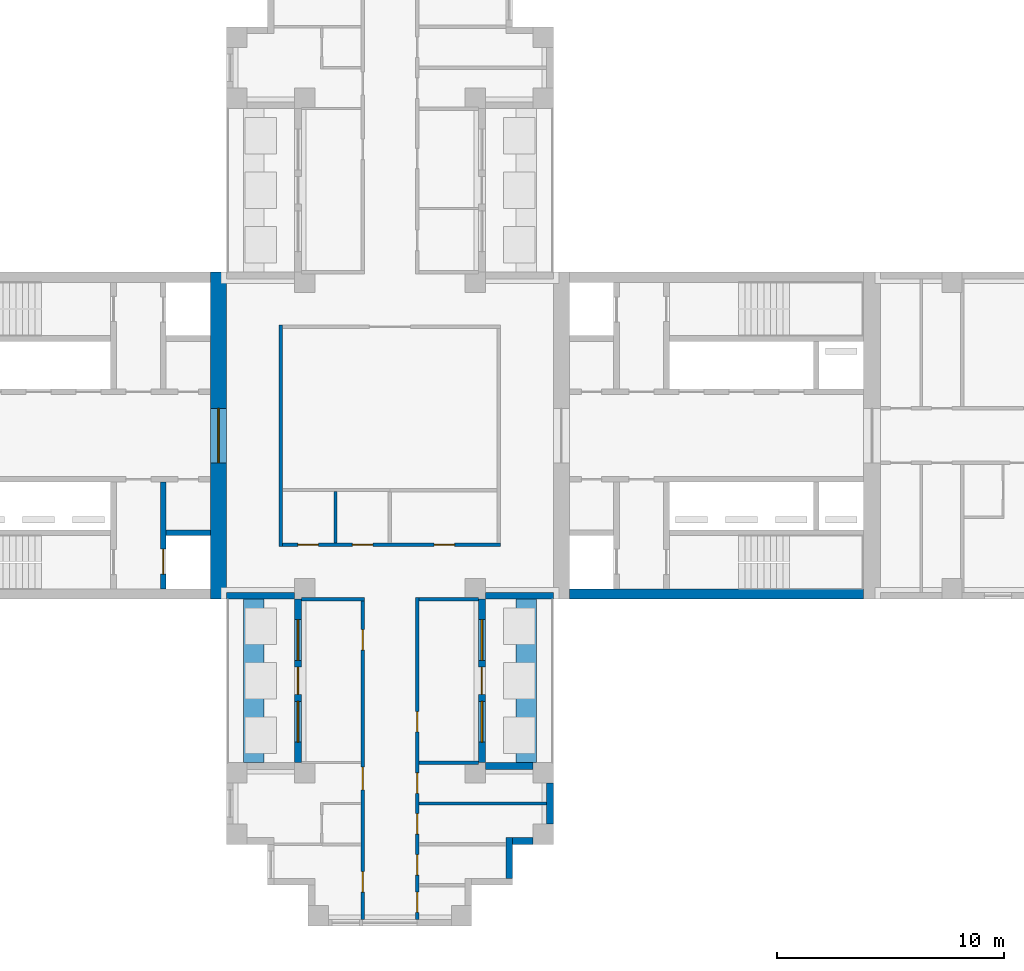
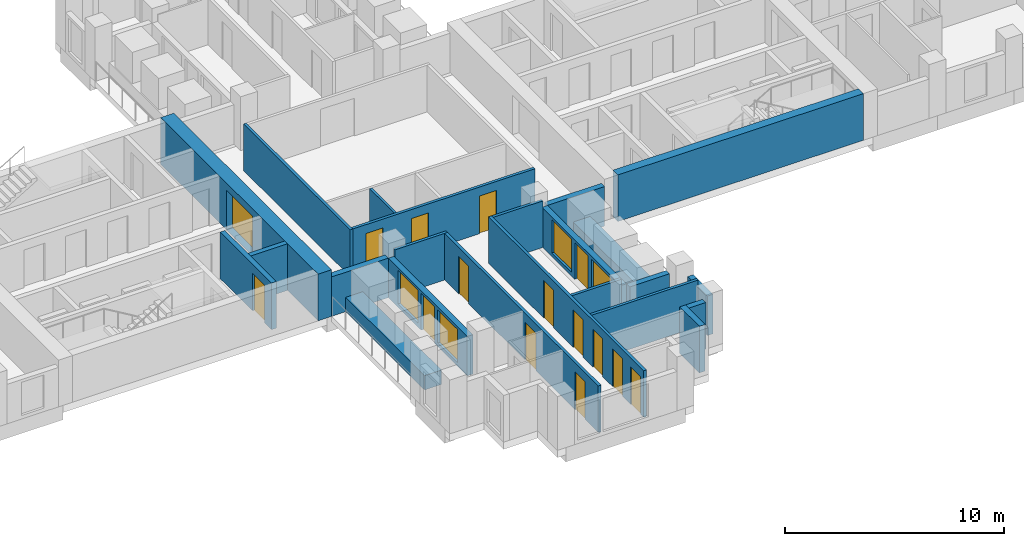
# One storey, part 5 of 11: 23 walls, 15 doors, 4 windows, 19 openings.
"""IFC4 building model written with IfcOpenShell, lengths in metres."""

from ifc_helpers import new_model, si_unit, direction, frame, frame_2d, origin, place, context, subcontext, project, spatial, rectangle, extrude, material, layer, layer_set, type_object, element, fill, save


model = new_model("IFC4")

# Units and contexts
model_context = context("Model", 3, precision=1e-05, world=origin(), true_north=direction((0.0, 1.0)))
body_context = subcontext(model_context, "Body", "Model", "MODEL_VIEW")
ifc_project = project(units=[si_unit("LENGTHUNIT", "METRE"), si_unit("AREAUNIT", "SQUARE_METRE"), si_unit("VOLUMEUNIT", "CUBIC_METRE"), si_unit("PLANEANGLEUNIT", "RADIAN"), si_unit("MASSUNIT", "GRAM", prefix="KILO")], contexts=[model_context])

# Site, building, storey
site_placement = place(None, origin())
site = spatial("IfcSite", under=ifc_project, at=site_placement, CompositionType="ELEMENT")
building_placement = place(site_placement, origin())
building = spatial("IfcBuilding", under=site, at=building_placement, Name="Fustian Cross Tower", CompositionType="ELEMENT")
storey_placement = place(building_placement, frame((0.0, 0.0, 120.300048828125)))
storey = spatial("IfcBuildingStorey", under=building, at=storey_placement, Name="L37", CompositionType="ELEMENT", Elevation=120.300048828125)

# Wall
ifc_material_1 = material(Name="Plasterboard on steel stud", Category="steel")
ifc_layer_1 = layer(ifc_material_1, 0.14990234375)
ifc_layer_set_1 = layer_set([ifc_layer_1], Name="Plasterboard on steel stud")
wall_type_1 = type_object("IfcWallType", Name="COMPARTMENT WALL 150 EI 60", PredefinedType="PARTITIONING", material=ifc_layer_set_1)
wall_1_placement = place(storey_placement, frame((-4.800048828125, -4.875, 0.0), z_axis=(0.0, 0.0, 1.0), x_axis=(0.0, 1.0, 0.0)))
element("IfcWall", 1, at=wall_1_placement, inside=storey, type_object=wall_type_1, Name="Partition 17", PredefinedType="PARTITIONING", context=body_context, shape_type="SweptSolid", body=[
    extrude(rectangle(XDim=9.75, YDim=0.14990234375, at=frame_2d((4.875, 0.0))), origin(), (0.0, 0.0, 1.0), 2.599853515625),
])

# Wall, openings, doors
wall_2_placement = place(storey_placement, frame((-4.72509765625, -4.800048828125, 0.0), z_axis=(0.0, 0.0, 1.0), x_axis=(1.0, 0.0, 0.0)))
wall_2 = element("IfcWall", 2, at=wall_2_placement, inside=storey, type_object=wall_type_1, Name="Partition 18", PredefinedType="PARTITIONING", context=body_context, shape_type="SweptSolid", body=[
    extrude(rectangle(XDim=9.60009765625, YDim=0.14990234375, at=frame_2d((4.800048828125, 0.0))), origin(), (0.0, 0.0, 1.0), 2.599853515625),
])
opening_1_placement = place(wall_2_placement, frame((0.675048828125, 0.0, 0.0)))
opening_1 = element("IfcOpeningElement", 3, at=opening_1_placement, cuts=wall_2, Name="Opening D18001", PredefinedType="OPENING", context=body_context, shape_type="SweptSolid", body=[
    extrude(rectangle(XDim=0.89990234375, YDim=2.10009765625, at=frame_2d((0.449951171875, 1.050048828125))), frame((0.0, 0.0849609375, 0.0), z_axis=(0.0, -1.0, 0.0), x_axis=(1.0, 0.0, 0.0)), (0.0, 0.0, 1.0), 0.169921875),
])
opening_2_placement = place(wall_2_placement, frame((3.074951171875, 0.0, 0.0)))
opening_2 = element("IfcOpeningElement", 4, at=opening_2_placement, cuts=wall_2, Name="Opening D18002", PredefinedType="OPENING", context=body_context, shape_type="SweptSolid", body=[
    extrude(rectangle(XDim=0.89990234375, YDim=2.10009765625, at=frame_2d((0.449951171875, 1.050048828125))), frame((0.0, 0.0849609375, 0.0), z_axis=(0.0, -1.0, 0.0), x_axis=(1.0, 0.0, 0.0)), (0.0, 0.0, 1.0), 0.169921875),
])
opening_3_placement = place(wall_2_placement, frame((6.675048828125, 0.0, 0.0)))
opening_3 = element("IfcOpeningElement", 5, at=opening_3_placement, cuts=wall_2, Name="Opening D18003", PredefinedType="OPENING", context=body_context, shape_type="SweptSolid", body=[
    extrude(rectangle(XDim=0.89990234375, YDim=2.10009765625, at=frame_2d((0.449951171875, 1.050048828125))), frame((0.0, 0.0849609375, 0.0), z_axis=(0.0, -1.0, 0.0), x_axis=(1.0, 0.0, 0.0)), (0.0, 0.0, 1.0), 0.169921875),
])
ifc_material_2 = material(Name="Timber fire door set", Category="wood")
door_type_1 = type_object("IfcDoorType", Name="FIRE SWING DOOR 900 FD30S", OperationType="SINGLE_SWING_LEFT", PredefinedType="DOOR", material=ifc_material_2)
door_1_placement = place(opening_1_placement, origin())
door_1 = element("IfcDoor", 6, at=door_1_placement, inside=storey, type_object=door_type_1, Name="Door D18001", OperationType="SINGLE_SWING_LEFT", OverallHeight=2.10009765625, OverallWidth=0.89990234375, PredefinedType="DOOR", context=body_context, shape_type="SweptSolid", body=[
    extrude(rectangle(XDim=0.89990234375, YDim=2.10009765625, at=frame_2d((0.449951171875, 1.050048828125))), frame((0.0, 0.02490234375, 0.0), z_axis=(0.0, -1.0, 0.0), x_axis=(1.0, 0.0, 0.0)), (0.0, 0.0, 1.0), 0.050048828125),
])
fill(opening_1, door_1)
door_2_placement = place(opening_2_placement, origin())
door_2 = element("IfcDoor", 7, at=door_2_placement, inside=storey, type_object=door_type_1, Name="Door D18002", OperationType="SINGLE_SWING_LEFT", OverallHeight=2.10009765625, OverallWidth=0.89990234375, PredefinedType="DOOR", context=body_context, shape_type="SweptSolid", body=[
    extrude(rectangle(XDim=0.89990234375, YDim=2.10009765625, at=frame_2d((0.449951171875, 1.050048828125))), frame((0.0, 0.02490234375, 0.0), z_axis=(0.0, -1.0, 0.0), x_axis=(1.0, 0.0, 0.0)), (0.0, 0.0, 1.0), 0.050048828125),
])
fill(opening_2, door_2)
door_3_placement = place(opening_3_placement, origin())
door_3 = element("IfcDoor", 8, at=door_3_placement, inside=storey, type_object=door_type_1, Name="Door D18003", OperationType="SINGLE_SWING_LEFT", OverallHeight=2.10009765625, OverallWidth=0.89990234375, PredefinedType="DOOR", context=body_context, shape_type="SweptSolid", body=[
    extrude(rectangle(XDim=0.89990234375, YDim=2.10009765625, at=frame_2d((0.449951171875, 1.050048828125))), frame((0.0, 0.02490234375, 0.0), z_axis=(0.0, -1.0, 0.0), x_axis=(1.0, 0.0, 0.0)), (0.0, 0.0, 1.0), 0.050048828125),
])
fill(opening_3, door_3)

# Wall
wall_3_placement = place(storey_placement, frame((-3.89990234375, -7.199951171875, 0.0), z_axis=(0.0, 0.0, 1.0), x_axis=(1.0, 0.0, 0.0)))
element("IfcWall", 9, at=wall_3_placement, inside=storey, type_object=wall_type_1, Name="Partition 22", PredefinedType="PARTITIONING", context=body_context, shape_type="SweptSolid", body=[
    extrude(rectangle(XDim=2.77490234375, YDim=0.14990234375, at=frame_2d((1.387451171875, 0.0))), origin(), (0.0, 0.0, 1.0), 2.599853515625),
])

# Wall, openings, doors
wall_4_placement = place(storey_placement, frame((-1.199951171875, -21.300048828125, 0.0), z_axis=(0.0, 0.0, 1.0), x_axis=(0.0, 1.0, 0.0)))
wall_4 = element("IfcWall", 10, at=wall_4_placement, inside=storey, type_object=wall_type_1, Name="Partition 32", PredefinedType="PARTITIONING", context=body_context, shape_type="SweptSolid", body=[
    extrude(rectangle(XDim=14.025146484375, YDim=0.14990234375, at=frame_2d((7.0126953125, 0.0))), origin(), (0.0, 0.0, 1.0), 2.599853515625),
])
opening_4_placement = place(wall_4_placement, frame((11.85009765625, 0.0, 0.0)))
opening_4 = element("IfcOpeningElement", 11, at=opening_4_placement, cuts=wall_4, Name="Opening D18038", PredefinedType="OPENING", context=body_context, shape_type="SweptSolid", body=[
    extrude(rectangle(XDim=0.89990234375, YDim=2.10009765625, at=frame_2d((0.449951171875, 1.050048828125))), frame((0.0, 0.0849609375, 0.0), z_axis=(0.0, -1.0, 0.0), x_axis=(1.0, 0.0, 0.0)), (0.0, 0.0, 1.0), 0.169921875),
])
opening_5_placement = place(wall_4_placement, frame((5.699951171875, 0.0, 0.0)))
opening_5 = element("IfcOpeningElement", 12, at=opening_5_placement, cuts=wall_4, Name="Opening D18040", PredefinedType="OPENING", context=body_context, shape_type="SweptSolid", body=[
    extrude(rectangle(XDim=1.0, YDim=2.10009765625, at=frame_2d((0.5, 1.050048828125))), frame((0.0, 0.0849609375, 0.0), z_axis=(0.0, -1.0, 0.0), x_axis=(1.0, 0.0, 0.0)), (0.0, 0.0, 1.0), 0.169921875),
])
opening_6_placement = place(wall_4_placement, frame((1.199951171875, 0.0, 0.0)))
opening_6 = element("IfcOpeningElement", 13, at=opening_6_placement, cuts=wall_4, Name="Opening D18041", PredefinedType="OPENING", context=body_context, shape_type="SweptSolid", body=[
    extrude(rectangle(XDim=0.89990234375, YDim=2.10009765625, at=frame_2d((0.449951171875, 1.050048828125))), frame((0.0, 0.0849609375, 0.0), z_axis=(0.0, -1.0, 0.0), x_axis=(1.0, 0.0, 0.0)), (0.0, 0.0, 1.0), 0.169921875),
])
ifc_material_3 = material(Name="Timber fire door set", Category="wood")
door_type_2 = type_object("IfcDoorType", Name="FIRE SWING DOOR 1000 FD30S", OperationType="SINGLE_SWING_LEFT", PredefinedType="DOOR", material=ifc_material_3)
door_4_placement = place(opening_5_placement, origin())
door_4 = element("IfcDoor", 14, at=door_4_placement, inside=storey, type_object=door_type_2, Name="Door D18040", OperationType="SINGLE_SWING_RIGHT", OverallHeight=2.10009765625, OverallWidth=1.0, PredefinedType="DOOR", context=body_context, shape_type="SweptSolid", body=[
    extrude(rectangle(XDim=1.0, YDim=2.10009765625, at=frame_2d((0.5, 1.050048828125))), frame((0.0, 0.02490234375, 0.0), z_axis=(0.0, -1.0, 0.0), x_axis=(1.0, 0.0, 0.0)), (0.0, 0.0, 1.0), 0.050048828125),
])
fill(opening_5, door_4)
door_5_placement = place(opening_4_placement, origin())
door_5 = element("IfcDoor", 15, at=door_5_placement, inside=storey, type_object=door_type_1, Name="Door D18038", OperationType="SINGLE_SWING_RIGHT", OverallHeight=2.10009765625, OverallWidth=0.89990234375, PredefinedType="DOOR", context=body_context, shape_type="SweptSolid", body=[
    extrude(rectangle(XDim=0.89990234375, YDim=2.10009765625, at=frame_2d((0.449951171875, 1.050048828125))), frame((0.0, 0.02490234375, 0.0), z_axis=(0.0, -1.0, 0.0), x_axis=(1.0, 0.0, 0.0)), (0.0, 0.0, 1.0), 0.050048828125),
])
fill(opening_4, door_5)
door_6_placement = place(opening_6_placement, origin())
door_6 = element("IfcDoor", 16, at=door_6_placement, inside=storey, type_object=door_type_1, Name="Door D18041", OperationType="SINGLE_SWING_LEFT", OverallHeight=2.10009765625, OverallWidth=0.89990234375, PredefinedType="DOOR", context=body_context, shape_type="SweptSolid", body=[
    extrude(rectangle(XDim=0.89990234375, YDim=2.10009765625, at=frame_2d((0.449951171875, 1.050048828125))), frame((0.0, 0.02490234375, 0.0), z_axis=(0.0, -1.0, 0.0), x_axis=(1.0, 0.0, 0.0)), (0.0, 0.0, 1.0), 0.050048828125),
])
fill(opening_6, door_6)

wall_5_placement = place(storey_placement, frame((1.199951171875, -21.300048828125, 0.0), z_axis=(0.0, 0.0, 1.0), x_axis=(0.0, 1.0, 0.0)))
wall_5 = element("IfcWall", 17, at=wall_5_placement, inside=storey, type_object=wall_type_1, Name="Partition 36", PredefinedType="PARTITIONING", context=body_context, shape_type="SweptSolid", body=[
    extrude(rectangle(XDim=14.175048828125, YDim=0.14990234375, at=frame_2d((7.08740234375, 0.0))), origin(), (0.0, 0.0, 1.0), 2.599853515625),
])
opening_7_placement = place(wall_5_placement, frame((8.25, 0.0, 0.0)))
opening_7 = element("IfcOpeningElement", 18, at=opening_7_placement, cuts=wall_5, Name="Opening D18033", PredefinedType="OPENING", context=body_context, shape_type="SweptSolid", body=[
    extrude(rectangle(XDim=0.89990234375, YDim=2.10009765625, at=frame_2d((0.449951171875, 1.050048828125))), frame((0.0, 0.0849609375, 0.0), z_axis=(0.0, -1.0, 0.0), x_axis=(1.0, 0.0, 0.0)), (0.0, 0.0, 1.0), 0.169921875),
])
opening_8_placement = place(wall_5_placement, frame((5.550048828125, 0.0, 0.0)))
opening_8 = element("IfcOpeningElement", 19, at=opening_8_placement, cuts=wall_5, Name="Opening D18034", PredefinedType="OPENING", context=body_context, shape_type="SweptSolid", body=[
    extrude(rectangle(XDim=0.89990234375, YDim=2.10009765625, at=frame_2d((0.449951171875, 1.050048828125))), frame((0.0, 0.0849609375, 0.0), z_axis=(0.0, -1.0, 0.0), x_axis=(1.0, 0.0, 0.0)), (0.0, 0.0, 1.0), 0.169921875),
])
opening_9_placement = place(wall_5_placement, frame((3.75, 0.0, 0.0)))
opening_9 = element("IfcOpeningElement", 20, at=opening_9_placement, cuts=wall_5, Name="Opening D18035", PredefinedType="OPENING", context=body_context, shape_type="SweptSolid", body=[
    extrude(rectangle(XDim=0.89990234375, YDim=2.10009765625, at=frame_2d((0.449951171875, 1.050048828125))), frame((0.0, 0.0849609375, 0.0), z_axis=(0.0, -1.0, 0.0), x_axis=(1.0, 0.0, 0.0)), (0.0, 0.0, 1.0), 0.169921875),
])
opening_10_placement = place(wall_5_placement, frame((1.949951171875, 0.0, 0.0)))
opening_10 = element("IfcOpeningElement", 21, at=opening_10_placement, cuts=wall_5, Name="Opening D18036", PredefinedType="OPENING", context=body_context, shape_type="SweptSolid", body=[
    extrude(rectangle(XDim=0.89990234375, YDim=2.10009765625, at=frame_2d((0.449951171875, 1.050048828125))), frame((0.0, 0.0849609375, 0.0), z_axis=(0.0, -1.0, 0.0), x_axis=(1.0, 0.0, 0.0)), (0.0, 0.0, 1.0), 0.169921875),
])
opening_11_placement = place(wall_5_placement, frame((0.300048828125, 0.0, 0.0)))
opening_11 = element("IfcOpeningElement", 22, at=opening_11_placement, cuts=wall_5, Name="Opening D18037", PredefinedType="OPENING", context=body_context, shape_type="SweptSolid", body=[
    extrude(rectangle(XDim=0.89990234375, YDim=2.10009765625, at=frame_2d((0.449951171875, 1.050048828125))), frame((0.0, 0.0849609375, 0.0), z_axis=(0.0, -1.0, 0.0), x_axis=(1.0, 0.0, 0.0)), (0.0, 0.0, 1.0), 0.169921875),
])
door_7_placement = place(opening_7_placement, frame((0.89990234375, 0.0, 0.0), z_axis=(0.0, 0.0, 1.0), x_axis=(-1.0, 0.0, 0.0)))
door_7 = element("IfcDoor", 23, at=door_7_placement, inside=storey, type_object=door_type_1, Name="Door D18033", OperationType="SINGLE_SWING_RIGHT", OverallHeight=2.10009765625, OverallWidth=0.89990234375, PredefinedType="DOOR", context=body_context, shape_type="SweptSolid", body=[
    extrude(rectangle(XDim=0.89990234375, YDim=2.10009765625, at=frame_2d((0.449951171875, 1.050048828125))), frame((0.0, 0.02490234375, 0.0), z_axis=(0.0, -1.0, 0.0), x_axis=(1.0, 0.0, 0.0)), (0.0, 0.0, 1.0), 0.050048828125),
])
fill(opening_7, door_7)
door_8_placement = place(opening_8_placement, origin())
door_8 = element("IfcDoor", 24, at=door_8_placement, inside=storey, type_object=door_type_1, Name="Door D18034", OperationType="SINGLE_SWING_LEFT", OverallHeight=2.10009765625, OverallWidth=0.89990234375, PredefinedType="DOOR", context=body_context, shape_type="SweptSolid", body=[
    extrude(rectangle(XDim=0.89990234375, YDim=2.10009765625, at=frame_2d((0.449951171875, 1.050048828125))), frame((0.0, 0.02490234375, 0.0), z_axis=(0.0, -1.0, 0.0), x_axis=(1.0, 0.0, 0.0)), (0.0, 0.0, 1.0), 0.050048828125),
])
fill(opening_8, door_8)
door_9_placement = place(opening_9_placement, frame((0.89990234375, 0.0, 0.0), z_axis=(0.0, 0.0, 1.0), x_axis=(-1.0, 0.0, 0.0)))
door_9 = element("IfcDoor", 25, at=door_9_placement, inside=storey, type_object=door_type_1, Name="Door D18035", OperationType="SINGLE_SWING_LEFT", OverallHeight=2.10009765625, OverallWidth=0.89990234375, PredefinedType="DOOR", context=body_context, shape_type="SweptSolid", body=[
    extrude(rectangle(XDim=0.89990234375, YDim=2.10009765625, at=frame_2d((0.449951171875, 1.050048828125))), frame((0.0, 0.02490234375, 0.0), z_axis=(0.0, -1.0, 0.0), x_axis=(1.0, 0.0, 0.0)), (0.0, 0.0, 1.0), 0.050048828125),
])
fill(opening_9, door_9)
door_10_placement = place(opening_10_placement, frame((0.89990234375, 0.0, 0.0), z_axis=(0.0, 0.0, 1.0), x_axis=(-1.0, 0.0, 0.0)))
door_10 = element("IfcDoor", 26, at=door_10_placement, inside=storey, type_object=door_type_1, Name="Door D18036", OperationType="SINGLE_SWING_LEFT", OverallHeight=2.10009765625, OverallWidth=0.89990234375, PredefinedType="DOOR", context=body_context, shape_type="SweptSolid", body=[
    extrude(rectangle(XDim=0.89990234375, YDim=2.10009765625, at=frame_2d((0.449951171875, 1.050048828125))), frame((0.0, 0.02490234375, 0.0), z_axis=(0.0, -1.0, 0.0), x_axis=(1.0, 0.0, 0.0)), (0.0, 0.0, 1.0), 0.050048828125),
])
fill(opening_10, door_10)
door_11_placement = place(opening_11_placement, frame((0.89990234375, 0.0, 0.0), z_axis=(0.0, 0.0, 1.0), x_axis=(-1.0, 0.0, 0.0)))
door_11 = element("IfcDoor", 27, at=door_11_placement, inside=storey, type_object=door_type_1, Name="Door D18037", OperationType="SINGLE_SWING_RIGHT", OverallHeight=2.10009765625, OverallWidth=0.89990234375, PredefinedType="DOOR", context=body_context, shape_type="SweptSolid", body=[
    extrude(rectangle(XDim=0.89990234375, YDim=2.10009765625, at=frame_2d((0.449951171875, 1.050048828125))), frame((0.0, 0.02490234375, 0.0), z_axis=(0.0, -1.0, 0.0), x_axis=(1.0, 0.0, 0.0)), (0.0, 0.0, 1.0), 0.050048828125),
])
fill(opening_11, door_11)

# Walls
wall_6_placement = place(storey_placement, frame((1.27490234375, -16.199951171875, 0.0), z_axis=(0.0, 0.0, 1.0), x_axis=(1.0, 0.0, 0.0)))
element("IfcWall", 28, at=wall_6_placement, inside=storey, type_object=wall_type_1, Name="Partition 39", PredefinedType="PARTITIONING", context=body_context, shape_type="SweptSolid", body=[
    extrude(rectangle(XDim=5.625, YDim=0.14990234375, at=frame_2d((2.8125, 0.0))), origin(), (0.0, 0.0, 1.0), 2.599853515625),
])
for number, where, z_axis, x_axis, name in (
    (29, (1.27490234375, -14.39990234375, 0.0), (0.0, 0.0, 1.0), (1.0, 0.0, 0.0), "Partition 40"),
    (30, (1.27490234375, -7.199951171875, 0.0), (0.0, 0.0, 1.0), (1.0, 0.0, 0.0), "Partition 41"),
):
    element("IfcWall", number, at=place(storey_placement, frame(where, z_axis=z_axis, x_axis=x_axis)), inside=storey, type_object=wall_type_1, Name=name, PredefinedType="PARTITIONING", context=body_context, shape_type="SweptSolid", body=[
        extrude(rectangle(XDim=2.625, YDim=0.14990234375, at=frame_2d((1.3125, 0.0))), origin(), (0.0, 0.0, 1.0), 2.599853515625),
    ])

# Wall, opening, door
ifc_material_4 = material(Name="Concrete C60/75", Category="concrete")
ifc_layer_2 = layer(ifc_material_4, 0.699951171875)
ifc_layer_set_2 = layer_set([ifc_layer_2], Name="Concrete C60/75")
wall_type_2 = type_object("IfcWallType", Name="CORE END WALL 700 C60/75", PredefinedType="SHEAR", material=ifc_layer_set_2)
wall_7_placement = place(storey_placement, frame((-7.550048828125, -7.199951171875, 0.0), z_axis=(0.0, 0.0, 1.0), x_axis=(0.0, 1.0, 0.0)))
wall_7 = element("IfcWall", 31, at=wall_7_placement, inside=storey, type_object=wall_type_2, Name="Core end wall", PredefinedType="SHEAR", context=body_context, shape_type="SweptSolid", body=[
    extrude(rectangle(XDim=14.39990234375, YDim=0.699951171875, at=frame_2d((7.199951171875, 0.0))), origin(), (0.0, 0.0, 1.0), 2.599853515625),
])
opening_12_placement = place(wall_7_placement, frame((6.0, 0.0, 0.0)))
opening_12 = element("IfcOpeningElement", 32, at=opening_12_placement, cuts=wall_7, Name="Opening CD-15-25", PredefinedType="OPENING", context=body_context, shape_type="SweptSolid", body=[
    extrude(rectangle(XDim=2.39990234375, YDim=2.199951171875, at=frame_2d((1.199951171875, 1.10009765625))), frame((0.0, 0.35986328125, 0.0), z_axis=(0.0, -1.0, 0.0), x_axis=(1.0, 0.0, 0.0)), (0.0, 0.0, 1.0), 0.719970703125),
])
ifc_material_5 = material(Name="Steel", Category="steel")
door_type_3 = type_object("IfcDoorType", Name="FIRE DOOR FD30S DOUBLE 2400X2200", OperationType="DOUBLE_DOOR_DOUBLE_SWING", PredefinedType="DOOR", material=ifc_material_5)
door_12_placement = place(opening_12_placement, origin())
door_12 = element("IfcDoor", 33, at=door_12_placement, inside=storey, type_object=door_type_3, Name="Core door CD-15-25", OperationType="DOUBLE_DOOR_DOUBLE_SWING", OverallHeight=2.199951171875, OverallWidth=2.39990234375, PredefinedType="DOOR", context=body_context, shape_type="SweptSolid", body=[
    extrude(rectangle(XDim=2.39990234375, YDim=2.199951171875, at=frame_2d((1.199951171875, 1.10009765625))), frame((0.0, 0.02490234375, 0.0), z_axis=(0.0, -1.0, 0.0), x_axis=(1.0, 0.0, 0.0)), (0.0, 0.0, 1.0), 0.050048828125),
])
fill(opening_12, door_12)

# Walls
ifc_material_6 = material(Name="Concrete C60/75", Category="concrete")
ifc_layer_3 = layer(ifc_material_6, 0.449951171875)
ifc_layer_set_3 = layer_set([ifc_layer_3], Name="Concrete C60/75")
wall_type_3 = type_object("IfcWallType", Name="CORE FACADE WALL 450 C60/75", PredefinedType="SHEAR", material=ifc_layer_set_3)
wall_8_placement = place(storey_placement, frame((7.89990234375, -6.97509765625, 0.0), z_axis=(0.0, 0.0, 1.0), x_axis=(1.0, 0.0, 0.0)))
element("IfcWall", 34, at=wall_8_placement, inside=storey, type_object=wall_type_3, Name="Core facade wall", PredefinedType="SHEAR", context=body_context, shape_type="SweptSolid", body=[
    extrude(rectangle(XDim=12.9501953125, YDim=0.449951171875, at=frame_2d((6.47509765625, 0.0))), origin(), (0.0, 0.0, 1.0), 2.599853515625),
])
ifc_material_7 = material(Name="Concrete C50/60", Category="concrete")
ifc_layer_4 = layer(ifc_material_7, 0.25)
ifc_layer_set_4 = layer_set([ifc_layer_4], Name="Concrete C50/60")
wall_type_4 = type_object("IfcWallType", Name="CORE SHAFT WALL 250 C50/60", PredefinedType="SHEAR", material=ifc_layer_set_4)
wall_9_placement = place(storey_placement, frame((-7.89990234375, -4.27490234375, 0.0), z_axis=(0.0, 0.0, 1.0), x_axis=(-1.0, 0.0, 0.0)))
element("IfcWall", 35, at=wall_9_placement, inside=storey, type_object=wall_type_4, Name="Core shaft wall", PredefinedType="SHEAR", context=body_context, shape_type="SweptSolid", body=[
    extrude(rectangle(XDim=1.9501953125, YDim=0.25, at=frame_2d((0.97509765625, 0.0))), origin(), (0.0, 0.0, 1.0), 2.599853515625),
])

# Wall, opening, door
wall_10_placement = place(storey_placement, frame((-9.97509765625, -2.050048828125, 0.0), z_axis=(0.0, 0.0, 1.0), x_axis=(0.0, -1.0, 0.0)))
wall_10 = element("IfcWall", 36, at=wall_10_placement, inside=storey, type_object=wall_type_4, Name="Core shaft wall", PredefinedType="SHEAR", context=body_context, shape_type="SweptSolid", body=[
    extrude(rectangle(XDim=4.699951171875, YDim=0.25, at=frame_2d((2.35009765625, 0.0))), origin(), (0.0, 0.0, 1.0), 2.599853515625),
])
opening_13_placement = place(wall_10_placement, frame((2.949951171875, 0.0, 0.0)))
opening_13 = element("IfcOpeningElement", 37, at=opening_13_placement, cuts=wall_10, Name="Opening LD", PredefinedType="OPENING", context=body_context, shape_type="SweptSolid", body=[
    extrude(rectangle(XDim=1.10009765625, YDim=2.10009765625, at=frame_2d((0.550048828125, 1.050048828125))), frame((0.0, 0.135009765625, 0.0), z_axis=(0.0, -1.0, 0.0), x_axis=(1.0, 0.0, 0.0)), (0.0, 0.0, 1.0), 0.27001953125),
])
ifc_material_8 = material(Name="Stainless steel", Category="steel")
door_type_4 = type_object("IfcDoorType", Name="LIFT LANDING DOOR 1100X2100", OperationType="SLIDING_TO_LEFT", PredefinedType="DOOR", material=ifc_material_8)
door_13_placement = place(opening_13_placement, origin())
door_13 = element("IfcDoor", 38, at=door_13_placement, inside=storey, type_object=door_type_4, Name="Landing door SV1W", OperationType="SLIDING_TO_LEFT", OverallHeight=2.10009765625, OverallWidth=1.10009765625, PredefinedType="DOOR", context=body_context, shape_type="SweptSolid", body=[
    extrude(rectangle(XDim=1.10009765625, YDim=2.10009765625, at=frame_2d((0.550048828125, 1.050048828125))), frame((0.0, 0.02490234375, 0.0), z_axis=(0.0, -1.0, 0.0), x_axis=(1.0, 0.0, 0.0)), (0.0, 0.0, 1.0), 0.050048828125),
])
fill(opening_13, door_13)

# Walls
ifc_material_9 = material(Name="Concrete C40/50", Category="concrete")
ifc_layer_5 = layer(ifc_material_9, 0.89990234375)
ifc_layer_set_5 = layer_set([ifc_layer_5], Name="Concrete C40/50")
wall_type_5 = type_object("IfcWallType", Name="PK1 PLANTER 900", PredefinedType="PARAPET", material=ifc_layer_set_5)
for number, where, z_axis, x_axis, name in (
    (39, (6.0, -14.39990234375, 0.0), (0.0, 0.0, 1.0), (0.0, 1.0, 0.0), "PLANTER"),
    (40, (-6.0, -14.39990234375, 0.0), (0.0, 0.0, 1.0), (0.0, 1.0, 0.0), "PLANTER"),
):
    element("IfcWall", number, at=place(storey_placement, frame(where, z_axis=z_axis, x_axis=x_axis)), inside=storey, type_object=wall_type_5, Name=name, PredefinedType="PARAPET", context=body_context, shape_type="SweptSolid", body=[
        extrude(rectangle(XDim=7.199951171875, YDim=0.89990234375, at=frame_2d((3.60009765625, 0.0))), origin(), (0.0, 0.0, 1.0), 0.800048828125),
    ])
ifc_material_10 = material(Name="Plasterboard on steel stud", Category="steel")
ifc_layer_6 = layer(ifc_material_10, 0.125)
ifc_layer_set_6 = layer_set([ifc_layer_6], Name="Plasterboard on steel stud")
wall_type_6 = type_object("IfcWallType", Name="WET WALL 125 STUD", PredefinedType="PARTITIONING", material=ifc_layer_set_6)
wall_11_placement = place(storey_placement, frame((-2.39990234375, -4.72509765625, 0.0), z_axis=(0.0, 0.0, 1.0), x_axis=(0.0, 1.0, 0.0)))
element("IfcWall", 41, at=wall_11_placement, inside=storey, type_object=wall_type_6, Name="Partition 31", PredefinedType="PARTITIONING", context=body_context, shape_type="SweptSolid", body=[
    extrude(rectangle(XDim=2.2626953125, YDim=0.125, at=frame_2d((1.13134765625, 0.0))), origin(), (0.0, 0.0, 1.0), 2.599853515625),
])
ifc_material_11 = material(Name="Dark aluminium cladding on insulated backing wall", Category="aluminium")
ifc_layer_7 = layer(ifc_material_11, 0.300048828125)
ifc_layer_set_7 = layer_set([ifc_layer_7], Name="Dark aluminium cladding on insulated backing wall")
wall_type_7 = type_object("IfcWallType", Name="XW1 EXTERNAL WALL 300", PredefinedType="SOLIDWALL", material=ifc_layer_set_7)
wall_12_placement = place(storey_placement, frame((-7.199951171875, -7.050048828125, 0.0), z_axis=(0.0, 0.0, 1.0), x_axis=(1.0, 0.0, 0.0)))
element("IfcWall", 42, at=wall_12_placement, inside=storey, type_object=wall_type_7, Name="External wall", PredefinedType="SOLIDWALL", context=body_context, shape_type="SweptSolid", body=[
    extrude(rectangle(XDim=3.0, YDim=0.300048828125, at=frame_2d((1.5, 0.0))), origin(), (0.0, 0.0, 1.0), 2.199951171875),
])

# Wall, openings, door, windows
wall_13_placement = place(storey_placement, frame((-4.050048828125, -7.199951171875, 0.0), z_axis=(0.0, 0.0, 1.0), x_axis=(0.0, -1.0, 0.0)))
wall_13 = element("IfcWall", 43, at=wall_13_placement, inside=storey, type_object=wall_type_7, Name="External wall", PredefinedType="SOLIDWALL", context=body_context, shape_type="SweptSolid", body=[
    extrude(rectangle(XDim=7.199951171875, YDim=0.300048828125, at=frame_2d((3.60009765625, 0.0))), origin(), (0.0, 0.0, 1.0), 2.199951171875),
])
opening_14_placement = place(wall_13_placement, frame((3.0, 0.0, 0.0)))
opening_14 = element("IfcOpeningElement", 44, at=opening_14_placement, cuts=wall_13, Name="Opening XD4", PredefinedType="OPENING", context=body_context, shape_type="SweptSolid", body=[
    extrude(rectangle(XDim=1.199951171875, YDim=2.050048828125, at=frame_2d((0.60009765625, 1.02490234375))), frame((0.0, 0.159912109375, 0.0), z_axis=(0.0, -1.0, 0.0), x_axis=(1.0, 0.0, 0.0)), (0.0, 0.0, 1.0), 0.320068359375),
])
opening_15_placement = place(wall_13_placement, frame((0.89990234375, 0.0, 0.199951171875)))
opening_15 = element("IfcOpeningElement", 45, at=opening_15_placement, cuts=wall_13, Name="Opening WN2", PredefinedType="OPENING", context=body_context, shape_type="SweptSolid", body=[
    extrude(rectangle(XDim=1.800048828125, YDim=1.85009765625, at=frame_2d((0.89990234375, 0.925048828125))), frame((0.0, 0.159912109375, 0.0), z_axis=(0.0, -1.0, 0.0), x_axis=(1.0, 0.0, 0.0)), (0.0, 0.0, 1.0), 0.320068359375),
])
opening_16_placement = place(wall_13_placement, frame((4.5, 0.0, 0.199951171875)))
opening_16 = element("IfcOpeningElement", 46, at=opening_16_placement, cuts=wall_13, Name="Opening WN2", PredefinedType="OPENING", context=body_context, shape_type="SweptSolid", body=[
    extrude(rectangle(XDim=1.800048828125, YDim=1.85009765625, at=frame_2d((0.89990234375, 0.925048828125))), frame((0.0, 0.159912109375, 0.0), z_axis=(0.0, -1.0, 0.0), x_axis=(1.0, 0.0, 0.0)), (0.0, 0.0, 1.0), 0.320068359375),
])
ifc_material_12 = material(Name="Dark anodised aluminium and double glazing", Category="aluminium")
door_type_5 = type_object("IfcDoorType", Name="ED1 BALCONY DOOR 1200X2050", OperationType="SINGLE_SWING_LEFT", PredefinedType="DOOR", material=ifc_material_12)
door_14_placement = place(opening_14_placement, origin())
door_14 = element("IfcDoor", 47, at=door_14_placement, inside=storey, type_object=door_type_5, Name="Balcony door", OperationType="SINGLE_SWING_LEFT", OverallHeight=2.050048828125, OverallWidth=1.199951171875, PredefinedType="DOOR", context=body_context, shape_type="SweptSolid", body=[
    extrude(rectangle(XDim=1.199951171875, YDim=2.050048828125, at=frame_2d((0.60009765625, 1.02490234375))), frame((0.0, 0.02490234375, 0.0), z_axis=(0.0, -1.0, 0.0), x_axis=(1.0, 0.0, 0.0)), (0.0, 0.0, 1.0), 0.050048828125),
])
fill(opening_14, door_14)
ifc_material_13 = material(Name="Dark anodised aluminium and double glazing", Category="aluminium")
window_type = type_object("IfcWindowType", Name="WN2 WINDOW 1800X1850", PartitioningType="SINGLE_PANEL", PredefinedType="WINDOW", material=ifc_material_13)
window_1_placement = place(opening_15_placement, origin())
window_1 = element("IfcWindow", 48, at=window_1_placement, inside=storey, type_object=window_type, Name="Window", OverallHeight=1.85009765625, OverallWidth=1.800048828125, PartitioningType="SINGLE_PANEL", PredefinedType="WINDOW", context=body_context, shape_type="SweptSolid", body=[
    extrude(rectangle(XDim=1.800048828125, YDim=1.85009765625, at=frame_2d((0.89990234375, 0.925048828125))), frame((0.0, 0.030029296875, 0.0), z_axis=(0.0, -1.0, 0.0), x_axis=(1.0, 0.0, 0.0)), (0.0, 0.0, 1.0), 0.06005859375),
])
fill(opening_15, window_1)
window_2_placement = place(opening_16_placement, origin())
window_2 = element("IfcWindow", 49, at=window_2_placement, inside=storey, type_object=window_type, Name="Window", OverallHeight=1.85009765625, OverallWidth=1.800048828125, PartitioningType="SINGLE_PANEL", PredefinedType="WINDOW", context=body_context, shape_type="SweptSolid", body=[
    extrude(rectangle(XDim=1.800048828125, YDim=1.85009765625, at=frame_2d((0.89990234375, 0.925048828125))), frame((0.0, 0.030029296875, 0.0), z_axis=(0.0, -1.0, 0.0), x_axis=(1.0, 0.0, 0.0)), (0.0, 0.0, 1.0), 0.06005859375),
])
fill(opening_16, window_2)

# Walls
wall_14_placement = place(storey_placement, frame((5.25, -19.5, 0.0), z_axis=(0.0, 0.0, 1.0), x_axis=(0.0, 1.0, 0.0)))
element("IfcWall", 50, at=wall_14_placement, inside=storey, type_object=wall_type_7, Name="External wall", PredefinedType="SOLIDWALL", context=body_context, shape_type="SweptSolid", body=[
    extrude(rectangle(XDim=1.800048828125, YDim=0.300048828125, at=frame_2d((0.89990234375, 0.0))), origin(), (0.0, 0.0, 1.0), 2.599853515625),
])
wall_15_placement = place(storey_placement, frame((5.39990234375, -17.85009765625, 0.0), z_axis=(0.0, 0.0, 1.0), x_axis=(1.0, 0.0, 0.0)))
element("IfcWall", 51, at=wall_15_placement, inside=storey, type_object=wall_type_7, Name="External wall", PredefinedType="SOLIDWALL", context=body_context, shape_type="SweptSolid", body=[
    extrude(rectangle(XDim=0.900146484375, YDim=0.300048828125, at=frame_2d((0.4501953125, 0.0))), origin(), (0.0, 0.0, 1.0), 2.599853515625),
])
wall_16_placement = place(storey_placement, frame((7.050048828125, -17.10009765625, 0.0), z_axis=(0.0, 0.0, 1.0), x_axis=(0.0, 1.0, 0.0)))
element("IfcWall", 52, at=wall_16_placement, inside=storey, type_object=wall_type_7, Name="External wall", PredefinedType="SOLIDWALL", context=body_context, shape_type="SweptSolid", body=[
    extrude(rectangle(XDim=1.800048828125, YDim=0.300048828125, at=frame_2d((0.89990234375, 0.0))), origin(), (0.0, 0.0, 1.0), 2.199951171875),
])
wall_17_placement = place(storey_placement, frame((6.300048828125, -14.550048828125, 0.0), z_axis=(0.0, 0.0, 1.0), x_axis=(-1.0, 0.0, 0.0)))
element("IfcWall", 53, at=wall_17_placement, inside=storey, type_object=wall_type_7, Name="External wall", PredefinedType="SOLIDWALL", context=body_context, shape_type="SweptSolid", body=[
    extrude(rectangle(XDim=2.10009765625, YDim=0.300048828125, at=frame_2d((1.050048828125, 0.0))), origin(), (0.0, 0.0, 1.0), 2.199951171875),
])

# Wall, openings, door, windows
wall_18_placement = place(storey_placement, frame((4.050048828125, -14.39990234375, 0.0), z_axis=(0.0, 0.0, 1.0), x_axis=(0.0, 1.0, 0.0)))
wall_18 = element("IfcWall", 54, at=wall_18_placement, inside=storey, type_object=wall_type_7, Name="External wall", PredefinedType="SOLIDWALL", context=body_context, shape_type="SweptSolid", body=[
    extrude(rectangle(XDim=7.199951171875, YDim=0.300048828125, at=frame_2d((3.60009765625, 0.0))), origin(), (0.0, 0.0, 1.0), 2.199951171875),
])
opening_17_placement = place(wall_18_placement, frame((3.0, 0.0, 0.0)))
opening_17 = element("IfcOpeningElement", 55, at=opening_17_placement, cuts=wall_18, Name="Opening XD3", PredefinedType="OPENING", context=body_context, shape_type="SweptSolid", body=[
    extrude(rectangle(XDim=1.199951171875, YDim=2.050048828125, at=frame_2d((0.60009765625, 1.02490234375))), frame((0.0, 0.159912109375, 0.0), z_axis=(0.0, -1.0, 0.0), x_axis=(1.0, 0.0, 0.0)), (0.0, 0.0, 1.0), 0.320068359375),
])
opening_18_placement = place(wall_18_placement, frame((0.89990234375, 0.0, 0.199951171875)))
opening_18 = element("IfcOpeningElement", 56, at=opening_18_placement, cuts=wall_18, Name="Opening WN2", PredefinedType="OPENING", context=body_context, shape_type="SweptSolid", body=[
    extrude(rectangle(XDim=1.800048828125, YDim=1.85009765625, at=frame_2d((0.89990234375, 0.925048828125))), frame((0.0, 0.159912109375, 0.0), z_axis=(0.0, -1.0, 0.0), x_axis=(1.0, 0.0, 0.0)), (0.0, 0.0, 1.0), 0.320068359375),
])
opening_19_placement = place(wall_18_placement, frame((4.5, 0.0, 0.199951171875)))
opening_19 = element("IfcOpeningElement", 57, at=opening_19_placement, cuts=wall_18, Name="Opening WN2", PredefinedType="OPENING", context=body_context, shape_type="SweptSolid", body=[
    extrude(rectangle(XDim=1.800048828125, YDim=1.85009765625, at=frame_2d((0.89990234375, 0.925048828125))), frame((0.0, 0.159912109375, 0.0), z_axis=(0.0, -1.0, 0.0), x_axis=(1.0, 0.0, 0.0)), (0.0, 0.0, 1.0), 0.320068359375),
])
door_15_placement = place(opening_17_placement, origin())
door_15 = element("IfcDoor", 58, at=door_15_placement, inside=storey, type_object=door_type_5, Name="Balcony door", OperationType="SINGLE_SWING_LEFT", OverallHeight=2.050048828125, OverallWidth=1.199951171875, PredefinedType="DOOR", context=body_context, shape_type="SweptSolid", body=[
    extrude(rectangle(XDim=1.199951171875, YDim=2.050048828125, at=frame_2d((0.60009765625, 1.02490234375))), frame((0.0, 0.02490234375, 0.0), z_axis=(0.0, -1.0, 0.0), x_axis=(1.0, 0.0, 0.0)), (0.0, 0.0, 1.0), 0.050048828125),
])
fill(opening_17, door_15)
window_3_placement = place(opening_18_placement, origin())
window_3 = element("IfcWindow", 59, at=window_3_placement, inside=storey, type_object=window_type, Name="Window", OverallHeight=1.85009765625, OverallWidth=1.800048828125, PartitioningType="SINGLE_PANEL", PredefinedType="WINDOW", context=body_context, shape_type="SweptSolid", body=[
    extrude(rectangle(XDim=1.800048828125, YDim=1.85009765625, at=frame_2d((0.89990234375, 0.925048828125))), frame((0.0, 0.030029296875, 0.0), z_axis=(0.0, -1.0, 0.0), x_axis=(1.0, 0.0, 0.0)), (0.0, 0.0, 1.0), 0.06005859375),
])
fill(opening_18, window_3)
window_4_placement = place(opening_19_placement, origin())
window_4 = element("IfcWindow", 60, at=window_4_placement, inside=storey, type_object=window_type, Name="Window", OverallHeight=1.85009765625, OverallWidth=1.800048828125, PartitioningType="SINGLE_PANEL", PredefinedType="WINDOW", context=body_context, shape_type="SweptSolid", body=[
    extrude(rectangle(XDim=1.800048828125, YDim=1.85009765625, at=frame_2d((0.89990234375, 0.925048828125))), frame((0.0, 0.030029296875, 0.0), z_axis=(0.0, -1.0, 0.0), x_axis=(1.0, 0.0, 0.0)), (0.0, 0.0, 1.0), 0.06005859375),
])
fill(opening_19, window_4)

# Wall
wall_19_placement = place(storey_placement, frame((4.199951171875, -7.050048828125, 0.0), z_axis=(0.0, 0.0, 1.0), x_axis=(1.0, 0.0, 0.0)))
element("IfcWall", 61, at=wall_19_placement, inside=storey, type_object=wall_type_7, Name="External wall", PredefinedType="SOLIDWALL", context=body_context, shape_type="SweptSolid", body=[
    extrude(rectangle(XDim=3.0, YDim=0.300048828125, at=frame_2d((1.5, 0.0))), origin(), (0.0, 0.0, 1.0), 2.199951171875),
])

save(model, "model.ifc")
